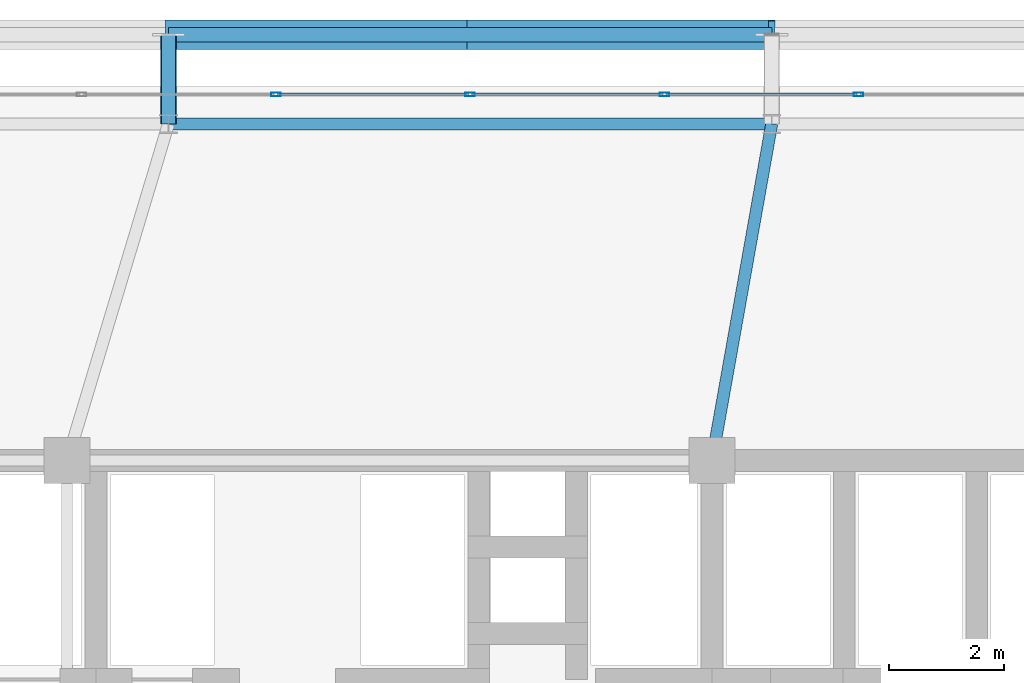
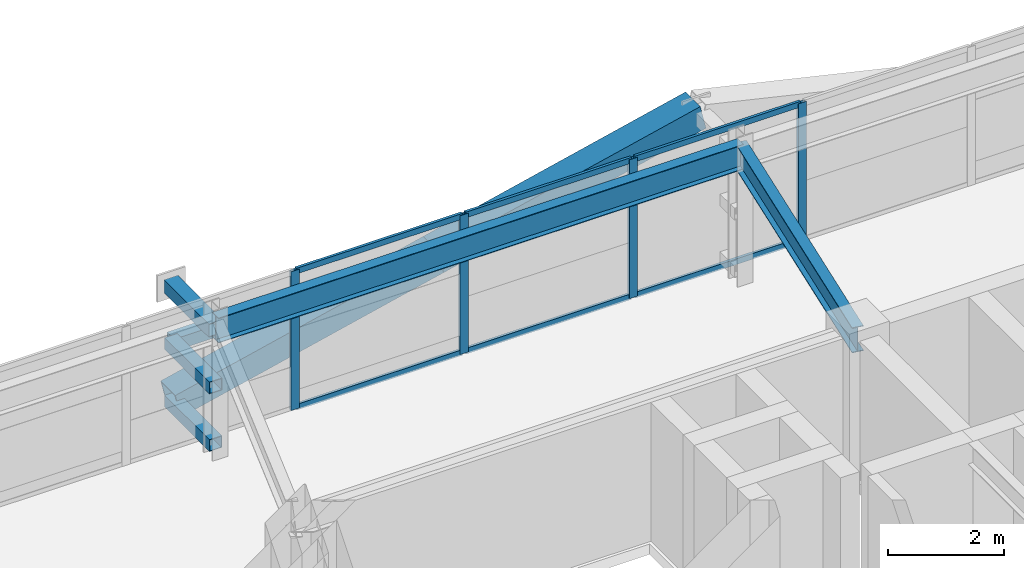
# One storey, part 37 of 58: 16 members, 2 beams, 1 element without a shape of its own.
"""IFC4 building model written with IfcOpenShell, lengths in metres."""

import ifcopenshell
import ifcopenshell.guid

model = None  # the IFC model being written
_history = None  # IfcOwnerHistory: only IFC2X3 demands one
_inside = {}  # id of a spatial element -> (the spatial element, [elements in it])
_under = {}  # id of a project, library or spatial element -> (it, [spatial elements below it])
_declared = {}  # id of a project -> (the project, [libraries it declares])
_typed = {}  # id of a type object -> (the type object, [elements of that type])
_made_of = {}  # id of a material, layer set ... -> (it, [elements and type objects made of it])


def new_model(schema):
    """Start an empty IFC model of exactly this schema.

    Asked for "IFC4X3", IfcOpenShell would pick the latest addendum, in which some entities
    have other attributes; the version numbers below select the first issue.
    IFC2X3 requires an IfcOwnerHistory on every rooted entity: one is made here for all.
    """
    global model, _history
    if schema == "IFC4X3":
        model = ifcopenshell.file(schema_version=(4, 3, 0, 0))
    else:
        model = ifcopenshell.file(schema=schema)
    _inside.clear()
    _under.clear()
    _declared.clear()
    _typed.clear()
    _made_of.clear()
    _history = None
    if model.schema == "IFC2X3":
        org = make("IfcOrganization", Name="unknown")
        user = make(
            "IfcPersonAndOrganization",
            ThePerson=make("IfcPerson", FamilyName="unknown"),
            TheOrganization=org,
        )
        app = make(
            "IfcApplication",
            ApplicationDeveloper=org,
            Version="unknown",
            ApplicationFullName="unknown",
            ApplicationIdentifier="unknown",
        )
        _history = make(
            "IfcOwnerHistory",
            OwningUser=user,
            OwningApplication=app,
            ChangeAction="ADDED",
            CreationDate=0,
        )
    return model


def make(cls, **values):
    """One entity of the class cls with the attributes given. An attribute that is None is left unset."""
    return model.create_entity(
        cls, **{name: value for name, value in values.items() if value is not None}
    )


def rooted(cls, **values):
    """An entity with a GlobalId (a new one), such as an element, a storey or a relation."""
    return make(cls, GlobalId=ifcopenshell.guid.new(), OwnerHistory=_history, **values)


def si_unit(unit_type, name, prefix=None):
    """IfcSIUnit, for example si_unit("LENGTHUNIT", "METRE", prefix="MILLI")."""
    return make("IfcSIUnit", UnitType=unit_type, Prefix=prefix, Name=name)


def assignment(units):
    """IfcUnitAssignment: the units of a project."""
    return None if units is None else make("IfcUnitAssignment", Units=units)


def point(xyz):
    """IfcCartesianPoint."""
    return None if xyz is None else make("IfcCartesianPoint", Coordinates=xyz)


def direction(xyz):
    """IfcDirection."""
    return None if xyz is None else make("IfcDirection", DirectionRatios=xyz)


def frame(location, z_axis=None, x_axis=None):
    """IfcAxis2Placement3D, a coordinate frame: its origin and axes. An axis left out is left unset."""
    return make(
        "IfcAxis2Placement3D",
        Location=point(location),
        Axis=direction(z_axis),
        RefDirection=direction(x_axis),
    )


def frame_2d(location, x_axis=None):
    """IfcAxis2Placement2D, a coordinate frame in the plane: its origin and x axis."""
    return make(
        "IfcAxis2Placement2D", Location=point(location), RefDirection=direction(x_axis)
    )


def origin():
    """The frame at (0, 0, 0) with its axes left unset."""
    return frame((0.0, 0.0, 0.0))


def origin_2d():
    """The frame at (0, 0) in the plane with its x axis left unset."""
    return frame_2d((0.0, 0.0))


def place(relative_to, where):
    """IfcLocalPlacement: puts the frame where relative to a parent placement (None: the world)."""
    return make(
        "IfcLocalPlacement", PlacementRelTo=relative_to, RelativePlacement=where
    )


def context(
    kind, dimensions, precision=None, world=None, true_north=None, identifier=None
):
    """IfcGeometricRepresentationContext, for example the 3D "Model" context."""
    return make(
        "IfcGeometricRepresentationContext",
        ContextIdentifier=identifier,
        ContextType=kind,
        CoordinateSpaceDimension=dimensions,
        Precision=precision,
        WorldCoordinateSystem=world,
        TrueNorth=true_north,
    )


def subcontext(parent, identifier, kind, view, scale=None):
    """IfcGeometricRepresentationSubContext, for example "Body" below "Model"."""
    return make(
        "IfcGeometricRepresentationSubContext",
        ContextIdentifier=identifier,
        ContextType=kind,
        ParentContext=parent,
        TargetScale=scale,
        TargetView=view,
    )


def project(units=None, contexts=None):
    """IfcProject with its units and contexts."""
    return rooted(
        "IfcProject",
        Name="project",
        RepresentationContexts=contexts,
        UnitsInContext=assignment(units),
    )


def spatial(cls, under=None, at=None, **own):
    """A site, building, storey or space (cls), placed at a placement, below another one or the project."""
    s = rooted(cls, ObjectPlacement=at, **own)
    if under is not None:
        _under.setdefault(under.id(), (under, []))[1].append(s)
    return s


def profile(cls, at=None, kind="AREA", **sizes):
    """A parametric profile (cls). Its sizes go by their IFC names, for example OverallWidth=200.0."""
    return make(cls, ProfileType=kind, Position=at, **sizes)


def hollow_rectangle(**sizes):
    """IfcRectangleHollowProfileDef."""
    return profile("IfcRectangleHollowProfileDef", **sizes)


def i_section(**sizes):
    """IfcIShapeProfileDef."""
    return profile("IfcIShapeProfileDef", **sizes)


def extrude(swept, where, along, depth):
    """IfcExtrudedAreaSolid: the profile swept, set in the frame where, extruded along a direction by depth."""
    return make(
        "IfcExtrudedAreaSolid",
        SweptArea=swept,
        Position=where,
        ExtrudedDirection=direction(along),
        Depth=depth,
    )


def shape(context_of_items, identifier, shape_type, items):
    """IfcShapeRepresentation: the items that make up one representation, for example the "Body"."""
    return make(
        "IfcShapeRepresentation",
        ContextOfItems=context_of_items,
        RepresentationIdentifier=identifier,
        RepresentationType=shape_type,
        Items=items,
    )


def source(mapping_origin, context_of_items, identifier, shape_type, items):
    """IfcRepresentationMap: a shape defined once, which mapped items show again and again."""
    return make(
        "IfcRepresentationMap",
        MappingOrigin=mapping_origin,
        MappedRepresentation=shape(context_of_items, identifier, shape_type, items),
    )


def transform(
    local_origin,
    x_axis=None,
    y_axis=None,
    z_axis=None,
    scale=None,
    scale2=None,
    scale3=None,
    uniform=True,
):
    """IfcCartesianTransformationOperator3D, or its non-uniform kind. x_axis, y_axis, z_axis: its Axis1, 2, 3."""
    if uniform:
        return make(
            "IfcCartesianTransformationOperator3D",
            Axis1=direction(x_axis),
            Axis2=direction(y_axis),
            LocalOrigin=point(local_origin),
            Scale=scale,
            Axis3=direction(z_axis),
        )
    return make(
        "IfcCartesianTransformationOperator3DnonUniform",
        Axis1=direction(x_axis),
        Axis2=direction(y_axis),
        LocalOrigin=point(local_origin),
        Scale=scale,
        Axis3=direction(z_axis),
        Scale2=scale2,
        Scale3=scale3,
    )


def mapped(mapping_source, mapping_target):
    """IfcMappedItem: shows the shape of a source again, moved by a transform."""
    return make(
        "IfcMappedItem", MappingSource=mapping_source, MappingTarget=mapping_target
    )


def material(Name=None, Category=None):
    """IfcMaterial."""
    return make("IfcMaterial", Name=Name, Category=Category)


def layer(
    of_material, thickness, ventilated=None, Name=None, Category=None, Priority=None
):
    """IfcMaterialLayer: one layer of a wall or slab, of a material (None: an air gap)."""
    return make(
        "IfcMaterialLayer",
        Material=of_material,
        LayerThickness=thickness,
        IsVentilated=ventilated,
        Name=Name,
        Category=Category,
        Priority=Priority,
    )


def layer_set(layers, Name=None):
    """IfcMaterialLayerSet."""
    return make("IfcMaterialLayerSet", MaterialLayers=layers, LayerSetName=Name)


def material_profile(
    of_material, cross_section, Name=None, Category=None, Priority=None
):
    """IfcMaterialProfile: a cross section and its material."""
    return make(
        "IfcMaterialProfile",
        Name=Name,
        Material=of_material,
        Profile=cross_section,
        Priority=Priority,
        Category=Category,
    )


def profile_set(profiles, Name=None, composite=None):
    """IfcMaterialProfileSet."""
    return make(
        "IfcMaterialProfileSet",
        Name=Name,
        MaterialProfiles=profiles,
        CompositeProfile=composite,
    )


def made_of(thing, what):
    """Note that an element or type object is made of a material, layer set ...; save() writes the relation."""
    if what is not None:
        _made_of.setdefault(what.id(), (what, []))[1].append(thing)
    return thing


def type_object(cls, material=None, **own):
    """A type object (cls), such as IfcWallType, which elements share."""
    return made_of(rooted(cls, **own), material)


def element(
    cls,
    number,
    at=None,
    inside=None,
    cuts=None,
    type_object=None,
    material=None,
    context=None,
    identifier="Body",
    shape_type=None,
    held_by="IfcProductDefinitionShape",
    body=None,
    shapes=None,
    **own,
):
    """One element of the class cls, such as IfcWall. Its Tag is "e" and its number.

    at: its placement. inside: the storey or other place that contains it. cuts: it is an
    opening in that element (IfcRelVoidsElement). A single representation is given by context,
    identifier, shape_type and body (its items); several are given by shapes. held_by: the class
    of the entity that holds the representations. save() writes the other relations.
    """
    e = rooted(cls, Tag="e%d" % number, ObjectPlacement=at, **own)
    if body is not None:
        shapes = [shape(context, identifier, shape_type, body)]
    if shapes is not None:
        e.Representation = make(held_by, Representations=shapes)
    if inside is not None:
        _inside.setdefault(inside.id(), (inside, []))[1].append(e)
    if cuts is not None:
        rooted(
            "IfcRelVoidsElement", RelatingBuildingElement=cuts, RelatedOpeningElement=e
        )
    if type_object is not None:
        _typed.setdefault(type_object.id(), (type_object, []))[1].append(e)
    return made_of(e, material)


def aggregate(whole, parts):
    """IfcRelAggregates: a whole, such as a stair, and the parts it consists of."""
    return rooted("IfcRelAggregates", RelatingObject=whole, RelatedObjects=parts)


def save(model, path):
    """Write the relations noted so far, then the file.

    IfcRelAggregates (storeys below a building ...), IfcRelContainedInSpatialStructure (elements
    in a storey), IfcRelDefinesByType, IfcRelAssociatesMaterial and IfcRelDeclares: one each for
    every whole, place, type object, material and project.
    """
    for whole, parts in _under.values():
        aggregate(whole, parts)
    for where, things in _inside.values():
        rooted(
            "IfcRelContainedInSpatialStructure",
            RelatedElements=things,
            RelatingStructure=where,
        )
    for kind, things in _typed.values():
        rooted("IfcRelDefinesByType", RelatedObjects=things, RelatingType=kind)
    for what, things in _made_of.values():
        rooted("IfcRelAssociatesMaterial", RelatedObjects=things, RelatingMaterial=what)
    for by, libraries in _declared.values():
        rooted("IfcRelDeclares", RelatingContext=by, RelatedDefinitions=libraries)
    model.write(path)


model = new_model("IFC4")

# Units and contexts
model_context = context("Model", 3, precision=1e-05, world=origin(), true_north=direction((0.0, 1.0)))
body_context = subcontext(model_context, "Body", "Model", "MODEL_VIEW")
ifc_project = project(units=[si_unit("LENGTHUNIT", "METRE"), si_unit("AREAUNIT", "SQUARE_METRE"), si_unit("VOLUMEUNIT", "CUBIC_METRE"), si_unit("PLANEANGLEUNIT", "RADIAN"), si_unit("MASSUNIT", "GRAM", prefix="KILO")], contexts=[model_context])

# Site, building, storey
site_placement = place(None, origin())
site = spatial("IfcSite", under=ifc_project, at=site_placement, CompositionType="ELEMENT")
building_placement = place(site_placement, origin())
building = spatial("IfcBuilding", under=site, at=building_placement, Name="Taldren Reach Tower", CompositionType="ELEMENT")
storey_placement = place(building_placement, frame((0.0, 0.0, 54.60009765625)))
storey = spatial("IfcBuildingStorey", under=building, at=storey_placement, Name="L16", CompositionType="ELEMENT", Elevation=54.60009765625)

# Beams
ifc_material_1 = material(Name="Steel Gr 350 (350PLUS)", Category="steel")
ifc_material_profile_1 = material_profile(ifc_material_1, i_section(OverallWidth=0.208984375, OverallDepth=0.528076171875, WebThickness=0.009521484375, FlangeThickness=0.01318359375, at=origin_2d()), Name="530UB82.0")
ifc_profile_set_1 = profile_set([ifc_material_profile_1], Name="Steel Gr 350 (350PLUS)")
beam_type_1 = type_object("IfcBeamType", Name="SP-UB530B", PredefinedType="SPANDREL", material=ifc_profile_set_1)
shared_shape_1 = source(origin(), body_context, "Body", "SweptSolid", [
    extrude(i_section(OverallWidth=0.208984375, OverallDepth=0.528076171875, WebThickness=0.009521484375, FlangeThickness=0.01318359375, at=origin_2d()), origin(), (0.0, 0.0, 1.0), 10.47998046875),
])
beam_1_placement = place(storey_placement, frame((40.239990234375, 37.85009765625, 2.666015625), z_axis=(-1.0, 0.0, 0.0), x_axis=(0.0, -1.0, 0.0)))
element("IfcBeam", 1, at=beam_1_placement, inside=storey, type_object=beam_type_1, Name="Perimeter spandrel B1 N4-N3 L16", PredefinedType="SPANDREL", context=body_context, shape_type="MappedRepresentation", body=[
    mapped(shared_shape_1, transform((0.0, 0.0, 0.0), scale=1.0)),
])
ifc_material_profile_2 = material_profile(ifc_material_1, i_section(OverallWidth=0.208984375, OverallDepth=0.532958984375, WebThickness=0.01025390625, FlangeThickness=0.015625, at=origin_2d()), Name="530UB92.4")
ifc_profile_set_2 = profile_set([ifc_material_profile_2], Name="Steel Gr 350 (350PLUS)")
beam_type_2 = type_object("IfcBeamType", Name="BM-UB530A", PredefinedType="BEAM", material=ifc_profile_set_2)
shared_shape_2 = source(origin(), body_context, "Body", "SweptSolid", [
    extrude(i_section(OverallWidth=0.208984375, OverallDepth=0.532958984375, WebThickness=0.01025390625, FlangeThickness=0.015625, at=origin_2d()), origin(), (0.0, 0.0, 1.0), 5.94189453125),
])
beam_2_placement = place(storey_placement, frame((39.199951171875, 32.0, 2.663330078125), z_axis=(0.17503687513, 0.984561878373, 0.0), x_axis=(-0.984561878373, 0.17503687513, 0.0)))
element("IfcBeam", 2, at=beam_2_placement, inside=storey, type_object=beam_type_2, Name="Primary floor girder B1-N4 L16", PredefinedType="BEAM", context=body_context, shape_type="MappedRepresentation", body=[
    mapped(shared_shape_2, transform((0.0, 0.0, 0.0), scale=1.0)),
])

# Members
ifc_material_2 = material(Name="Steel Gr 450 (C450L0)", Category="steel")
ifc_material_profile_3 = material_profile(ifc_material_2, hollow_rectangle(XDim=0.27490234375, YDim=0.27490234375, WallThickness=0.00927734375, at=origin_2d()), Name="275x275x9.3SHS")
ifc_profile_set_3 = profile_set([ifc_material_profile_3], Name="Steel Gr 450 (C450L0)")
member_type_1 = type_object("IfcMemberType", Name="MB-TIE273", PredefinedType="STRUT", material=ifc_profile_set_3)
shared_shape_3 = source(origin(), body_context, "Body", "SweptSolid", [
    extrude(hollow_rectangle(XDim=0.27490234375, YDim=0.27490234375, WallThickness=0.00927734375, at=origin_2d()), origin(), (0.0, 0.0, 1.0), 1.5498046875),
])
member_1_placement = place(storey_placement, frame((29.760009765625, 37.85009765625, 2.64990234375), z_axis=(0.0, 1.0, 0.0), x_axis=(-1.0, 0.0, 0.0)))
element("IfcMember", 3, at=member_1_placement, inside=storey, type_object=member_type_1, Name="Exoskeleton diaphragm tie strut B1-N3 L16", PredefinedType="STRUT", context=body_context, shape_type="MappedRepresentation", body=[
    mapped(shared_shape_3, transform((0.0, 0.0, 0.0), scale=1.0)),
])
ifc_material_profile_4 = material_profile(ifc_material_2, hollow_rectangle(XDim=0.510009765625, YDim=0.510009765625, WallThickness=0.02001953125, at=origin_2d()), Name="510x510x20.0SHS")
ifc_profile_set_4 = profile_set([ifc_material_profile_4], Name="Steel Gr 450 (C450L0)")
member_type_2 = type_object("IfcMemberType", Name="MB-EXO508", PredefinedType="BRACE", material=ifc_profile_set_4)
shared_shape_4 = source(origin(), body_context, "Body", "SweptSolid", [
    extrude(hollow_rectangle(XDim=0.510009765625, YDim=0.510009765625, WallThickness=0.02001953125, at=origin_2d()), origin(), (0.0, 0.0, 1.0), 5.37890625),
])
for number, where, z_axis, x_axis, name in (
    (4, (29.760009765625, 39.39990234375, 0.219970703125), (0.974161966843, 0.0, 0.225850531007), (0.0, 1.0, 0.0), "Exoskeleton Diagrid Brace B1-N3 L16"),
    (5, (35.0, 39.39990234375, 1.434814453125), (0.97415197996, 0.0, 0.225893603143), (0.0, 1.0, 0.0), "Exoskeleton Diagrid Brace B1-N3 L16"),
):
    element("IfcMember", number, at=place(storey_placement, frame(where, z_axis=z_axis, x_axis=x_axis)), inside=storey, type_object=member_type_2, Name=name, PredefinedType="BRACE", context=body_context, shape_type="MappedRepresentation", body=[
        mapped(shared_shape_4, transform((0.0, 0.0, 0.0), scale=1.0)),
    ])
ifc_material_3 = material(Name="Steel Gr 350 (C350L0)", Category="steel")
ifc_material_profile_5 = material_profile(ifc_material_3, hollow_rectangle(XDim=0.25, YDim=0.25, WallThickness=0.010009765625, at=origin_2d()), Name="250x250x10.0SHS")
ifc_profile_set_5 = profile_set([ifc_material_profile_5], Name="Steel Gr 350 (C350L0)")
member_type_3 = type_object("IfcMemberType", Name="MB-POST250", PredefinedType="POST", material=ifc_profile_set_5)
shared_shape_5 = source(origin(), body_context, "Body", "SweptSolid", [
    extrude(hollow_rectangle(XDim=0.25, YDim=0.25, WallThickness=0.010009765625, at=origin_2d()), origin(), (0.0, 0.0, 1.0), 10.47998046875),
])
member_2_placement = place(storey_placement, frame((29.760009765625, 39.39990234375, 1.434814453125), z_axis=(1.0, 0.0, 0.0), x_axis=(0.0, 1.0, 0.0)))
element("IfcMember", 6, at=member_2_placement, inside=storey, type_object=member_type_3, Name="Exoskeleton mid-height ring chord B1-N3 L16", PredefinedType="POST", context=body_context, shape_type="MappedRepresentation", body=[
    mapped(shared_shape_5, transform((0.0, 0.0, 0.0), scale=1.0)),
])
shared_shape_6 = source(origin(), body_context, "Body", "SweptSolid", [
    extrude(hollow_rectangle(XDim=0.25, YDim=0.25, WallThickness=0.010009765625, at=origin_2d()), origin(), (0.0, 0.0, 1.0), 1.5498046875),
])
for number, where, z_axis, x_axis, name in (
    (7, (29.760009765625, 37.85009765625, 0.219970703125), (0.0, 1.0, 0.0), (-1.0, 0.0, 0.0), "Exoskeleton base diaphragm tie strut B1-N3 L16"),
    (8, (29.760009765625, 37.85009765625, 1.434814453125), (0.0, 1.0, 0.0), (-1.0, 0.0, 0.0), "Exoskeleton mid-tier diaphragm tie B1-N3 L16"),
):
    element("IfcMember", number, at=place(storey_placement, frame(where, z_axis=z_axis, x_axis=x_axis)), inside=storey, type_object=member_type_3, Name=name, PredefinedType="POST", context=body_context, shape_type="MappedRepresentation", body=[
        mapped(shared_shape_6, transform((0.0, 0.0, 0.0), scale=1.0)),
    ])

# Curtain wall, members
ifc_material_4 = material(Name="Aluminium and Low-E Glass Unitised System", Category="aluminium")
ifc_layer = layer(ifc_material_4, 0.159912109375)
ifc_layer_set = layer_set([ifc_layer], Name="Aluminium and Low-E Glass Unitised System")
curtain_wall_type = type_object("IfcCurtainWallType", Name="CW-SYS-2", PredefinedType="NOTDEFINED", material=ifc_layer_set)
curtain_wall_placement = place(storey_placement, origin())
curtain_wall = element("IfcCurtainWall", 9, at=curtain_wall_placement, inside=storey, type_object=curtain_wall_type, Name="Unitised curtain wall CW-L16-N", PredefinedType="NOTDEFINED")
ifc_material_5 = material(Name="Anodised Aluminium 6063-T6", Category="aluminium")
ifc_material_profile_6 = material_profile(ifc_material_5, hollow_rectangle(XDim=0.06494140625, YDim=0.1650390625, WallThickness=0.00390625, at=origin_2d()), Name="ALU-165x65x4RHS")
ifc_profile_set_6 = profile_set([ifc_material_profile_6], Name="Anodised Aluminium 6063-T6")
member_type_4 = type_object("IfcMemberType", Name="CW-MUL-165", PredefinedType="MULLION", material=ifc_profile_set_6)
shared_shape_7 = source(origin(), body_context, "Body", "SweptSolid", [
    extrude(hollow_rectangle(XDim=0.06494140625, YDim=0.1650390625, WallThickness=0.00390625, at=origin_2d()), origin(), (0.0, 0.0, 1.0), 2.929931640625),
])
member_3_placement = place(storey_placement, frame((41.75, 38.360107421875, 0.0), z_axis=(0.0, 0.0, 1.0), x_axis=(0.0, -1.0, 0.0)))
member_3 = element("IfcMember", 10, at=member_3_placement, type_object=member_type_4, Name="CW-2 mullion 7", PredefinedType="MULLION", context=body_context, shape_type="MappedRepresentation", body=[
    mapped(shared_shape_7, transform((0.0, 0.0, 0.0), scale=1.0)),
])
member_4_placement = place(storey_placement, frame((38.375, 38.360107421875, 0.0), z_axis=(0.0, 0.0, 1.0), x_axis=(0.0, -1.0, 0.0)))
member_4 = element("IfcMember", 11, at=member_4_placement, type_object=member_type_4, Name="CW-2 mullion 8", PredefinedType="MULLION", context=body_context, shape_type="MappedRepresentation", body=[
    mapped(shared_shape_7, transform((0.0, 0.0, 0.0), scale=1.0)),
])
member_5_placement = place(storey_placement, frame((35.0, 38.360107421875, 0.0), z_axis=(0.0, 0.0, 1.0), x_axis=(0.0, -1.0, 0.0)))
member_5 = element("IfcMember", 12, at=member_5_placement, type_object=member_type_4, Name="CW-2 mullion 9", PredefinedType="MULLION", context=body_context, shape_type="MappedRepresentation", body=[
    mapped(shared_shape_7, transform((0.0, 0.0, 0.0), scale=1.0)),
])
member_6_placement = place(storey_placement, frame((31.625, 38.360107421875, 0.0), z_axis=(0.0, 0.0, 1.0), x_axis=(0.0, -1.0, 0.0)))
member_6 = element("IfcMember", 13, at=member_6_placement, type_object=member_type_4, Name="CW-2 mullion 10", PredefinedType="MULLION", context=body_context, shape_type="MappedRepresentation", body=[
    mapped(shared_shape_7, transform((0.0, 0.0, 0.0), scale=1.0)),
])
ifc_material_profile_7 = material_profile(ifc_material_5, hollow_rectangle(XDim=0.054931640625, YDim=0.1201171875, WallThickness=0.0029296875, at=origin_2d()), Name="ALU-120x55x3RHS")
ifc_profile_set_7 = profile_set([ifc_material_profile_7], Name="Anodised Aluminium 6063-T6")
member_type_5 = type_object("IfcMemberType", Name="CW-TRN-135", PredefinedType="USERDEFINED", material=ifc_profile_set_7)
shared_shape_8 = source(origin(), body_context, "Body", "SweptSolid", [
    extrude(hollow_rectangle(XDim=0.054931640625, YDim=0.1201171875, WallThickness=0.0029296875, at=origin_2d()), origin(), (0.0, 0.0, 1.0), 3.31005859375),
])
member_7_placement = place(storey_placement, frame((41.717529296875, 38.360107421875, 0.02734375), z_axis=(-1.0, 0.0, 0.0), x_axis=(0.0, -1.0, 0.0)))
member_7 = element("IfcMember", 14, at=member_7_placement, type_object=member_type_5, Name="CW-2 transom 7.1", ObjectType="TRANSOM", PredefinedType="USERDEFINED", context=body_context, shape_type="MappedRepresentation", body=[
    mapped(shared_shape_8, transform((0.0, 0.0, 0.0), scale=1.0)),
])
member_8_placement = place(storey_placement, frame((41.717529296875, 38.360107421875, 2.90234375), z_axis=(-1.0, 0.0, 0.0), x_axis=(0.0, -1.0, 0.0)))
member_8 = element("IfcMember", 15, at=member_8_placement, type_object=member_type_5, Name="CW-2 transom 7.2", ObjectType="TRANSOM", PredefinedType="USERDEFINED", context=body_context, shape_type="MappedRepresentation", body=[
    mapped(shared_shape_8, transform((0.0, 0.0, 0.0), scale=1.0)),
])
member_9_placement = place(storey_placement, frame((38.342529296875, 38.360107421875, 0.02734375), z_axis=(-1.0, 0.0, 0.0), x_axis=(0.0, -1.0, 0.0)))
member_9 = element("IfcMember", 16, at=member_9_placement, type_object=member_type_5, Name="CW-2 transom 8.1", ObjectType="TRANSOM", PredefinedType="USERDEFINED", context=body_context, shape_type="MappedRepresentation", body=[
    mapped(shared_shape_8, transform((0.0, 0.0, 0.0), scale=1.0)),
])
member_10_placement = place(storey_placement, frame((38.342529296875, 38.360107421875, 2.90234375), z_axis=(-1.0, 0.0, 0.0), x_axis=(0.0, -1.0, 0.0)))
member_10 = element("IfcMember", 17, at=member_10_placement, type_object=member_type_5, Name="CW-2 transom 8.2", ObjectType="TRANSOM", PredefinedType="USERDEFINED", context=body_context, shape_type="MappedRepresentation", body=[
    mapped(shared_shape_8, transform((0.0, 0.0, 0.0), scale=1.0)),
])
member_11_placement = place(storey_placement, frame((34.967529296875, 38.360107421875, 0.02734375), z_axis=(-1.0, 0.0, 0.0), x_axis=(0.0, -1.0, 0.0)))
member_11 = element("IfcMember", 18, at=member_11_placement, type_object=member_type_5, Name="CW-2 transom 9.1", ObjectType="TRANSOM", PredefinedType="USERDEFINED", context=body_context, shape_type="MappedRepresentation", body=[
    mapped(shared_shape_8, transform((0.0, 0.0, 0.0), scale=1.0)),
])
member_12_placement = place(storey_placement, frame((34.967529296875, 38.360107421875, 2.90234375), z_axis=(-1.0, 0.0, 0.0), x_axis=(0.0, -1.0, 0.0)))
member_12 = element("IfcMember", 19, at=member_12_placement, type_object=member_type_5, Name="CW-2 transom 9.2", ObjectType="TRANSOM", PredefinedType="USERDEFINED", context=body_context, shape_type="MappedRepresentation", body=[
    mapped(shared_shape_8, transform((0.0, 0.0, 0.0), scale=1.0)),
])
aggregate(curtain_wall, [member_3, member_4, member_5, member_6, member_7, member_8, member_9, member_10, member_11, member_12])

save(model, "model.ifc")
